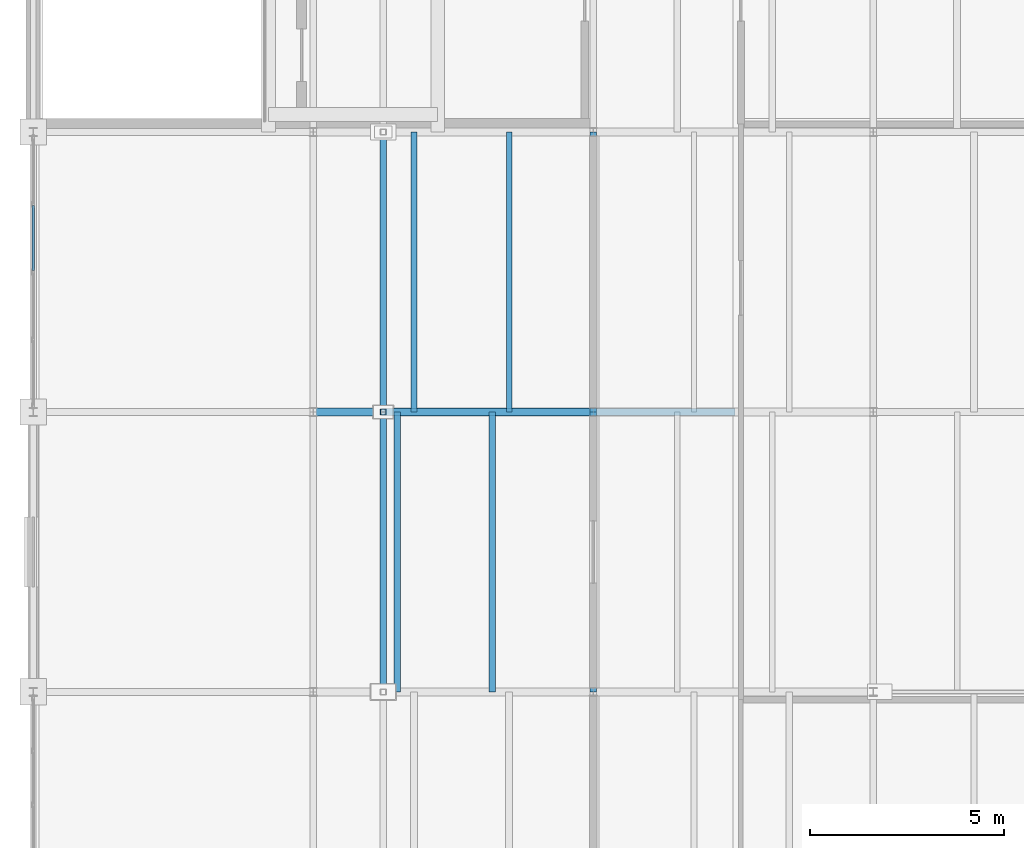
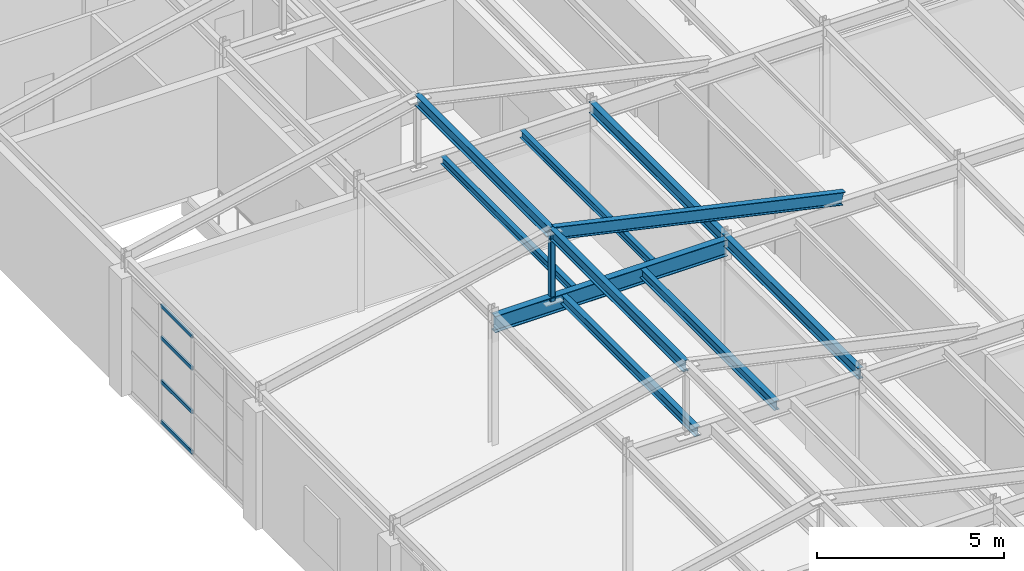
# One storey, part 25 of 43: 10 beams, 5 members, 1 element without a shape of its own.
"""IFC4 building model written with IfcOpenShell, lengths in metres."""

import ifcopenshell
import ifcopenshell.guid

model = None  # the IFC model being written
_history = None  # IfcOwnerHistory: only IFC2X3 demands one
_inside = {}  # id of a spatial element -> (the spatial element, [elements in it])
_under = {}  # id of a project, library or spatial element -> (it, [spatial elements below it])
_declared = {}  # id of a project -> (the project, [libraries it declares])
_typed = {}  # id of a type object -> (the type object, [elements of that type])
_made_of = {}  # id of a material, layer set ... -> (it, [elements and type objects made of it])


def new_model(schema):
    """Start an empty IFC model of exactly this schema.

    Asked for "IFC4X3", IfcOpenShell would pick the latest addendum, in which some entities
    have other attributes; the version numbers below select the first issue.
    IFC2X3 requires an IfcOwnerHistory on every rooted entity: one is made here for all.
    """
    global model, _history
    if schema == "IFC4X3":
        model = ifcopenshell.file(schema_version=(4, 3, 0, 0))
    else:
        model = ifcopenshell.file(schema=schema)
    _inside.clear()
    _under.clear()
    _declared.clear()
    _typed.clear()
    _made_of.clear()
    _history = None
    if model.schema == "IFC2X3":
        org = make("IfcOrganization", Name="unknown")
        user = make(
            "IfcPersonAndOrganization",
            ThePerson=make("IfcPerson", FamilyName="unknown"),
            TheOrganization=org,
        )
        app = make(
            "IfcApplication",
            ApplicationDeveloper=org,
            Version="unknown",
            ApplicationFullName="unknown",
            ApplicationIdentifier="unknown",
        )
        _history = make(
            "IfcOwnerHistory",
            OwningUser=user,
            OwningApplication=app,
            ChangeAction="ADDED",
            CreationDate=0,
        )
    return model


def make(cls, **values):
    """One entity of the class cls with the attributes given. An attribute that is None is left unset."""
    return model.create_entity(
        cls, **{name: value for name, value in values.items() if value is not None}
    )


def rooted(cls, **values):
    """An entity with a GlobalId (a new one), such as an element, a storey or a relation."""
    return make(cls, GlobalId=ifcopenshell.guid.new(), OwnerHistory=_history, **values)


def si_unit(unit_type, name, prefix=None):
    """IfcSIUnit, for example si_unit("LENGTHUNIT", "METRE", prefix="MILLI")."""
    return make("IfcSIUnit", UnitType=unit_type, Prefix=prefix, Name=name)


def assignment(units):
    """IfcUnitAssignment: the units of a project."""
    return None if units is None else make("IfcUnitAssignment", Units=units)


def point(xyz):
    """IfcCartesianPoint."""
    return None if xyz is None else make("IfcCartesianPoint", Coordinates=xyz)


def direction(xyz):
    """IfcDirection."""
    return None if xyz is None else make("IfcDirection", DirectionRatios=xyz)


def frame(location, z_axis=None, x_axis=None):
    """IfcAxis2Placement3D, a coordinate frame: its origin and axes. An axis left out is left unset."""
    return make(
        "IfcAxis2Placement3D",
        Location=point(location),
        Axis=direction(z_axis),
        RefDirection=direction(x_axis),
    )


def frame_2d(location, x_axis=None):
    """IfcAxis2Placement2D, a coordinate frame in the plane: its origin and x axis."""
    return make(
        "IfcAxis2Placement2D", Location=point(location), RefDirection=direction(x_axis)
    )


def origin():
    """The frame at (0, 0, 0) with its axes left unset."""
    return frame((0.0, 0.0, 0.0))


def origin_2d():
    """The frame at (0, 0) in the plane with its x axis left unset."""
    return frame_2d((0.0, 0.0))


def place(relative_to, where):
    """IfcLocalPlacement: puts the frame where relative to a parent placement (None: the world)."""
    return make(
        "IfcLocalPlacement", PlacementRelTo=relative_to, RelativePlacement=where
    )


def context(
    kind, dimensions, precision=None, world=None, true_north=None, identifier=None
):
    """IfcGeometricRepresentationContext, for example the 3D "Model" context."""
    return make(
        "IfcGeometricRepresentationContext",
        ContextIdentifier=identifier,
        ContextType=kind,
        CoordinateSpaceDimension=dimensions,
        Precision=precision,
        WorldCoordinateSystem=world,
        TrueNorth=true_north,
    )


def subcontext(parent, identifier, kind, view, scale=None):
    """IfcGeometricRepresentationSubContext, for example "Body" below "Model"."""
    return make(
        "IfcGeometricRepresentationSubContext",
        ContextIdentifier=identifier,
        ContextType=kind,
        ParentContext=parent,
        TargetScale=scale,
        TargetView=view,
    )


def project(units=None, contexts=None):
    """IfcProject with its units and contexts."""
    return rooted(
        "IfcProject",
        Name="project",
        RepresentationContexts=contexts,
        UnitsInContext=assignment(units),
    )


def spatial(cls, under=None, at=None, **own):
    """A site, building, storey or space (cls), placed at a placement, below another one or the project."""
    s = rooted(cls, ObjectPlacement=at, **own)
    if under is not None:
        _under.setdefault(under.id(), (under, []))[1].append(s)
    return s


def profile(cls, at=None, kind="AREA", **sizes):
    """A parametric profile (cls). Its sizes go by their IFC names, for example OverallWidth=200.0."""
    return make(cls, ProfileType=kind, Position=at, **sizes)


def hollow_rectangle(**sizes):
    """IfcRectangleHollowProfileDef."""
    return profile("IfcRectangleHollowProfileDef", **sizes)


def i_section(**sizes):
    """IfcIShapeProfileDef."""
    return profile("IfcIShapeProfileDef", **sizes)


def extrude(swept, where, along, depth):
    """IfcExtrudedAreaSolid: the profile swept, set in the frame where, extruded along a direction by depth."""
    return make(
        "IfcExtrudedAreaSolid",
        SweptArea=swept,
        Position=where,
        ExtrudedDirection=direction(along),
        Depth=depth,
    )


def shape(context_of_items, identifier, shape_type, items):
    """IfcShapeRepresentation: the items that make up one representation, for example the "Body"."""
    return make(
        "IfcShapeRepresentation",
        ContextOfItems=context_of_items,
        RepresentationIdentifier=identifier,
        RepresentationType=shape_type,
        Items=items,
    )


def material(Name=None, Category=None):
    """IfcMaterial."""
    return make("IfcMaterial", Name=Name, Category=Category)


def layer(
    of_material, thickness, ventilated=None, Name=None, Category=None, Priority=None
):
    """IfcMaterialLayer: one layer of a wall or slab, of a material (None: an air gap)."""
    return make(
        "IfcMaterialLayer",
        Material=of_material,
        LayerThickness=thickness,
        IsVentilated=ventilated,
        Name=Name,
        Category=Category,
        Priority=Priority,
    )


def layer_set(layers, Name=None):
    """IfcMaterialLayerSet."""
    return make("IfcMaterialLayerSet", MaterialLayers=layers, LayerSetName=Name)


def material_profile(
    of_material, cross_section, Name=None, Category=None, Priority=None
):
    """IfcMaterialProfile: a cross section and its material."""
    return make(
        "IfcMaterialProfile",
        Name=Name,
        Material=of_material,
        Profile=cross_section,
        Priority=Priority,
        Category=Category,
    )


def profile_set(profiles, Name=None, composite=None):
    """IfcMaterialProfileSet."""
    return make(
        "IfcMaterialProfileSet",
        Name=Name,
        MaterialProfiles=profiles,
        CompositeProfile=composite,
    )


def made_of(thing, what):
    """Note that an element or type object is made of a material, layer set ...; save() writes the relation."""
    if what is not None:
        _made_of.setdefault(what.id(), (what, []))[1].append(thing)
    return thing


def type_object(cls, material=None, **own):
    """A type object (cls), such as IfcWallType, which elements share."""
    return made_of(rooted(cls, **own), material)


def element(
    cls,
    number,
    at=None,
    inside=None,
    cuts=None,
    type_object=None,
    material=None,
    context=None,
    identifier="Body",
    shape_type=None,
    held_by="IfcProductDefinitionShape",
    body=None,
    shapes=None,
    **own,
):
    """One element of the class cls, such as IfcWall. Its Tag is "e" and its number.

    at: its placement. inside: the storey or other place that contains it. cuts: it is an
    opening in that element (IfcRelVoidsElement). A single representation is given by context,
    identifier, shape_type and body (its items); several are given by shapes. held_by: the class
    of the entity that holds the representations. save() writes the other relations.
    """
    e = rooted(cls, Tag="e%d" % number, ObjectPlacement=at, **own)
    if body is not None:
        shapes = [shape(context, identifier, shape_type, body)]
    if shapes is not None:
        e.Representation = make(held_by, Representations=shapes)
    if inside is not None:
        _inside.setdefault(inside.id(), (inside, []))[1].append(e)
    if cuts is not None:
        rooted(
            "IfcRelVoidsElement", RelatingBuildingElement=cuts, RelatedOpeningElement=e
        )
    if type_object is not None:
        _typed.setdefault(type_object.id(), (type_object, []))[1].append(e)
    return made_of(e, material)


def aggregate(whole, parts):
    """IfcRelAggregates: a whole, such as a stair, and the parts it consists of."""
    return rooted("IfcRelAggregates", RelatingObject=whole, RelatedObjects=parts)


def save(model, path):
    """Write the relations noted so far, then the file.

    IfcRelAggregates (storeys below a building ...), IfcRelContainedInSpatialStructure (elements
    in a storey), IfcRelDefinesByType, IfcRelAssociatesMaterial and IfcRelDeclares: one each for
    every whole, place, type object, material and project.
    """
    for whole, parts in _under.values():
        aggregate(whole, parts)
    for where, things in _inside.values():
        rooted(
            "IfcRelContainedInSpatialStructure",
            RelatedElements=things,
            RelatingStructure=where,
        )
    for kind, things in _typed.values():
        rooted("IfcRelDefinesByType", RelatedObjects=things, RelatingType=kind)
    for what, things in _made_of.values():
        rooted("IfcRelAssociatesMaterial", RelatedObjects=things, RelatingMaterial=what)
    for by, libraries in _declared.values():
        rooted("IfcRelDeclares", RelatingContext=by, RelatedDefinitions=libraries)
    model.write(path)


model = new_model("IFC4")

# Units and contexts
model_context = context("Model", 3, precision=1e-05, world=origin(), true_north=direction((0.0, 1.0)))
body_context = subcontext(model_context, "Body", "Model", "MODEL_VIEW")
ifc_project = project(units=[si_unit("LENGTHUNIT", "METRE"), si_unit("AREAUNIT", "SQUARE_METRE"), si_unit("VOLUMEUNIT", "CUBIC_METRE"), si_unit("PLANEANGLEUNIT", "RADIAN"), si_unit("MASSUNIT", "GRAM", prefix="KILO")], contexts=[model_context])

# Site, building, storey
site_placement = place(None, origin())
site = spatial("IfcSite", under=ifc_project, at=site_placement, CompositionType="ELEMENT")
building_placement = place(site_placement, origin())
building = spatial("IfcBuilding", under=site, at=building_placement, Name="Kemerveld Promenade Tramway Depot", CompositionType="ELEMENT")
storey_placement = place(building_placement, frame((0.0, 0.0, 18.89990234375)))
storey = spatial("IfcBuildingStorey", under=building, at=storey_placement, Name="L04", CompositionType="ELEMENT", Elevation=18.89990234375)

# Beams
ifc_material_1 = material(Name="Steel S355", Category="steel")
ifc_material_profile_1 = material_profile(ifc_material_1, i_section(OverallWidth=0.2099609375, OverallDepth=0.53662109375, WebThickness=0.0107421875, FlangeThickness=0.017333984375, FilletRadius=0.0126953125, at=origin_2d()), Name="533x210x101 UB")
ifc_profile_set_1 = profile_set([ifc_material_profile_1], Name="Steel S355")
beam_type_1 = type_object("IfcBeamType", Name="BM-G05", PredefinedType="BEAM", material=ifc_profile_set_1)
beam_1_placement = place(storey_placement, frame((7.199951171875, 36.0, 3.94677734375), z_axis=(1.0, 0.0, 0.0), x_axis=(0.0, 1.0, 0.0)))
element("IfcBeam", 1, at=beam_1_placement, inside=storey, type_object=beam_type_1, Name="BMX-L04-02-03-F", PredefinedType="BEAM", context=body_context, shape_type="SweptSolid", body=[
    extrude(i_section(OverallWidth=0.2099609375, OverallDepth=0.53662109375, WebThickness=0.0107421875, FlangeThickness=0.017333984375, FilletRadius=0.0126953125, at=origin_2d()), origin(), (0.0, 0.0, 1.0), 7.199951171875),
])
ifc_material_profile_2 = material_profile(ifc_material_1, i_section(OverallWidth=0.1787109375, OverallDepth=0.409423828125, WebThickness=0.0087890625, FlangeThickness=0.014404296875, FilletRadius=0.01025390625, at=origin_2d()), Name="406x178x67 UB")
ifc_profile_set_2 = profile_set([ifc_material_profile_2], Name="Steel S355")
beam_type_2 = type_object("IfcBeamType", Name="BM-G07", PredefinedType="BEAM", material=ifc_profile_set_2)
beam_2_placement = place(storey_placement, frame((9.0, 36.0, 6.275390625), z_axis=(0.976187060184, 0.0, -0.216930457819), x_axis=(0.0, 1.0, 0.0)))
element("IfcBeam", 2, at=beam_2_placement, inside=storey, type_object=beam_type_2, Name="RAF-V5-F-E", PredefinedType="BEAM", context=body_context, shape_type="SweptSolid", body=[
    extrude(i_section(OverallWidth=0.1787109375, OverallDepth=0.409423828125, WebThickness=0.0087890625, FlangeThickness=0.014404296875, FilletRadius=0.01025390625, at=origin_2d()), origin(), (0.0, 0.0, 1.0), 9.219482421875),
])
ifc_material_profile_3 = material_profile(ifc_material_1, i_section(OverallWidth=0.172119140625, OverallDepth=0.35791015625, WebThickness=0.008056640625, FlangeThickness=0.012939453125, FilletRadius=0.01025390625, at=origin_2d()), Name="356x171x57 UB")
ifc_profile_set_3 = profile_set([ifc_material_profile_3], Name="Steel S355")
beam_type_3 = type_object("IfcBeamType", Name="BM-G08", PredefinedType="BEAM", material=ifc_profile_set_3)
for number, where, z_axis, x_axis, name in (
    (3, (14.39990234375, 28.800048828125, 4.14111328125), (0.0, 1.0, 0.0), (-1.0, 0.0, 0.0), "BMY-L04-03-E-F"),
    (4, (14.39990234375, 36.0, 4.14111328125), (0.0, 1.0, 0.0), (-1.0, 0.0, 0.0), "BMY-L04-03-F-G"),
    (5, (9.0, 28.800048828125, 6.275390625), (0.0, 1.0, 0.0), (-1.0, 0.0, 0.0), "BM-RDG-V5-5"),
    (6, (9.0, 36.0, 6.275390625), (0.0, 1.0, 0.0), (-1.0, 0.0, 0.0), "BM-RDG-V5-6"),
):
    element("IfcBeam", number, at=place(storey_placement, frame(where, z_axis=z_axis, x_axis=x_axis)), inside=storey, type_object=beam_type_3, Name=name, PredefinedType="BEAM", context=body_context, shape_type="SweptSolid", body=[
        extrude(i_section(OverallWidth=0.172119140625, OverallDepth=0.35791015625, WebThickness=0.008056640625, FlangeThickness=0.012939453125, FilletRadius=0.01025390625, at=origin_2d()), origin(), (0.0, 0.0, 1.0), 7.199951171875),
    ])
ifc_material_profile_4 = material_profile(ifc_material_1, i_section(OverallWidth=0.165771484375, OverallDepth=0.306640625, WebThickness=0.006591796875, FlangeThickness=0.01171875, FilletRadius=0.0087890625, at=origin_2d()), Name="305x165x46 UB")
ifc_profile_set_4 = profile_set([ifc_material_profile_4], Name="Steel S355")
beam_type_4 = type_object("IfcBeamType", Name="BM-J01", PredefinedType="JOIST", material=ifc_profile_set_4)
for number, where, z_axis, x_axis, name in (
    (7, (9.360107421875, 28.800048828125, 4.001708984375), (0.0, 1.0, 0.0), (-1.0, 0.0, 0.0), "JST-L04-02-E-1"),
    (8, (11.80810546875, 28.800048828125, 4.001708984375), (0.0, 1.0, 0.0), (-1.0, 0.0, 0.0), "JST-L04-02-E-2"),
):
    element("IfcBeam", number, at=place(storey_placement, frame(where, z_axis=z_axis, x_axis=x_axis)), inside=storey, type_object=beam_type_4, Name=name, PredefinedType="JOIST", context=body_context, shape_type="SweptSolid", body=[
        extrude(i_section(OverallWidth=0.165771484375, OverallDepth=0.306640625, WebThickness=0.006591796875, FlangeThickness=0.01171875, FilletRadius=0.0087890625, at=origin_2d()), origin(), (0.0, 0.0, 1.0), 7.199951171875),
    ])
ifc_material_profile_5 = material_profile(ifc_material_1, i_section(OverallWidth=0.146484375, OverallDepth=0.256103515625, WebThickness=0.00634765625, FlangeThickness=0.010986328125, FilletRadius=0.007568359375, at=origin_2d()), Name="254x146x37 UB")
ifc_profile_set_5 = profile_set([ifc_material_profile_5], Name="Steel S355")
beam_type_5 = type_object("IfcBeamType", Name="BM-J02", PredefinedType="JOIST", material=ifc_profile_set_5)
for number, where, z_axis, x_axis, name in (
    (9, (9.7919921875, 36.0, 4.027099609375), (0.0, 1.0, 0.0), (-1.0, 0.0, 0.0), "JST-L04-02-F-1"),
    (10, (12.239990234375, 36.0, 4.027099609375), (0.0, 1.0, 0.0), (-1.0, 0.0, 0.0), "JST-L04-02-F-2"),
):
    element("IfcBeam", number, at=place(storey_placement, frame(where, z_axis=z_axis, x_axis=x_axis)), inside=storey, type_object=beam_type_5, Name=name, PredefinedType="JOIST", context=body_context, shape_type="SweptSolid", body=[
        extrude(i_section(OverallWidth=0.146484375, OverallDepth=0.256103515625, WebThickness=0.00634765625, FlangeThickness=0.010986328125, FilletRadius=0.007568359375, at=origin_2d()), origin(), (0.0, 0.0, 1.0), 7.199951171875),
    ])

# Curtain wall, members
ifc_material_2 = material(Name="Bronze anodised aluminium and solar glass", Category="aluminium")
ifc_layer = layer(ifc_material_2, 0.159912109375)
ifc_layer_set = layer_set([ifc_layer], Name="CW-SYS-09")
curtain_wall_type = type_object("IfcCurtainWallType", Name="CW-SYS-09", PredefinedType="USERDEFINED", material=ifc_layer_set)
curtain_wall_placement = place(storey_placement, origin())
curtain_wall = element("IfcCurtainWall", 11, at=curtain_wall_placement, inside=storey, type_object=curtain_wall_type, Name="CW-L04-V5W-06", ObjectType="GLAZED_CURTAIN_WALL", PredefinedType="USERDEFINED")
ifc_material_3 = material(Name="Bronze anodised aluminium", Category="aluminium")
ifc_material_profile_6 = material_profile(ifc_material_3, hollow_rectangle(XDim=0.06005859375, YDim=0.1201171875, WallThickness=0.00390625, InnerFilletRadius=0.001953125, OuterFilletRadius=0.00390625, at=origin_2d()), Name="CW-TRN-120x60")
ifc_profile_set_6 = profile_set([ifc_material_profile_6], Name="Bronze anodised aluminium")
member_type_1 = type_object("IfcMemberType", Name="CW-TRN-A", PredefinedType="USERDEFINED", material=ifc_profile_set_6)
member_1_placement = place(storey_placement, frame((0.0, 39.632568359375, 0.030029296875), z_axis=(0.0, 1.0, 0.0), x_axis=(-1.0, 0.0, 0.0)))
member_1 = element("IfcMember", 12, at=member_1_placement, type_object=member_type_1, Name="CW09 transom 3.1", ObjectType="TRANSOM", PredefinedType="USERDEFINED", context=body_context, shape_type="SweptSolid", body=[
    extrude(hollow_rectangle(XDim=0.06005859375, YDim=0.1201171875, WallThickness=0.00390625, InnerFilletRadius=0.001953125, OuterFilletRadius=0.00390625, at=origin_2d()), origin(), (0.0, 0.0, 1.0), 1.672607421875),
])
member_2_placement = place(storey_placement, frame((0.0, 39.632568359375, 1.34716796875), z_axis=(0.0, 1.0, 0.0), x_axis=(-1.0, 0.0, 0.0)))
member_2 = element("IfcMember", 13, at=member_2_placement, type_object=member_type_1, Name="CW09 transom 3.2", ObjectType="TRANSOM", PredefinedType="USERDEFINED", context=body_context, shape_type="SweptSolid", body=[
    extrude(hollow_rectangle(XDim=0.06005859375, YDim=0.1201171875, WallThickness=0.00390625, InnerFilletRadius=0.001953125, OuterFilletRadius=0.00390625, at=origin_2d()), origin(), (0.0, 0.0, 1.0), 1.672607421875),
])
member_3_placement = place(storey_placement, frame((0.0, 39.632568359375, 2.772216796875), z_axis=(0.0, 1.0, 0.0), x_axis=(-1.0, 0.0, 0.0)))
member_3 = element("IfcMember", 14, at=member_3_placement, type_object=member_type_1, Name="CW09 transom 3.3", ObjectType="TRANSOM", PredefinedType="USERDEFINED", context=body_context, shape_type="SweptSolid", body=[
    extrude(hollow_rectangle(XDim=0.06005859375, YDim=0.1201171875, WallThickness=0.00390625, InnerFilletRadius=0.001953125, OuterFilletRadius=0.00390625, at=origin_2d()), origin(), (0.0, 0.0, 1.0), 1.672607421875),
])
member_4_placement = place(storey_placement, frame((0.0, 39.632568359375, 3.820068359375), z_axis=(0.0, 1.0, 0.0), x_axis=(-1.0, 0.0, 0.0)))
member_4 = element("IfcMember", 15, at=member_4_placement, type_object=member_type_1, Name="CW09 transom 3.4", ObjectType="TRANSOM", PredefinedType="USERDEFINED", context=body_context, shape_type="SweptSolid", body=[
    extrude(hollow_rectangle(XDim=0.06005859375, YDim=0.1201171875, WallThickness=0.00390625, InnerFilletRadius=0.001953125, OuterFilletRadius=0.00390625, at=origin_2d()), origin(), (0.0, 0.0, 1.0), 1.672607421875),
])
aggregate(curtain_wall, [member_1, member_2, member_3, member_4])

# Member
ifc_material_profile_7 = material_profile(ifc_material_1, hollow_rectangle(XDim=0.14990234375, YDim=0.14990234375, WallThickness=0.008056640625, InnerFilletRadius=0.00390625, OuterFilletRadius=0.011962890625, at=origin_2d()), Name="150x150x8.0 SHS")
ifc_profile_set_7 = profile_set([ifc_material_profile_7], Name="Steel S355")
member_type_2 = type_object("IfcMemberType", Name="MB-TP2", PredefinedType="POST", material=ifc_profile_set_7)
member_5_placement = place(storey_placement, frame((9.0, 36.0, 4.050048828125), z_axis=(0.0, 0.0, 1.0), x_axis=(1.0, 0.0, 0.0)))
element("IfcMember", 16, at=member_5_placement, inside=storey, type_object=member_type_2, Name="POST-RDG-V5-F", PredefinedType="POST", context=body_context, shape_type="SweptSolid", body=[
    extrude(hollow_rectangle(XDim=0.14990234375, YDim=0.14990234375, WallThickness=0.008056640625, InnerFilletRadius=0.00390625, OuterFilletRadius=0.011962890625, at=origin_2d()), origin(), (0.0, 0.0, 1.0), 2.265380859375),
])

save(model, "model.ifc")
